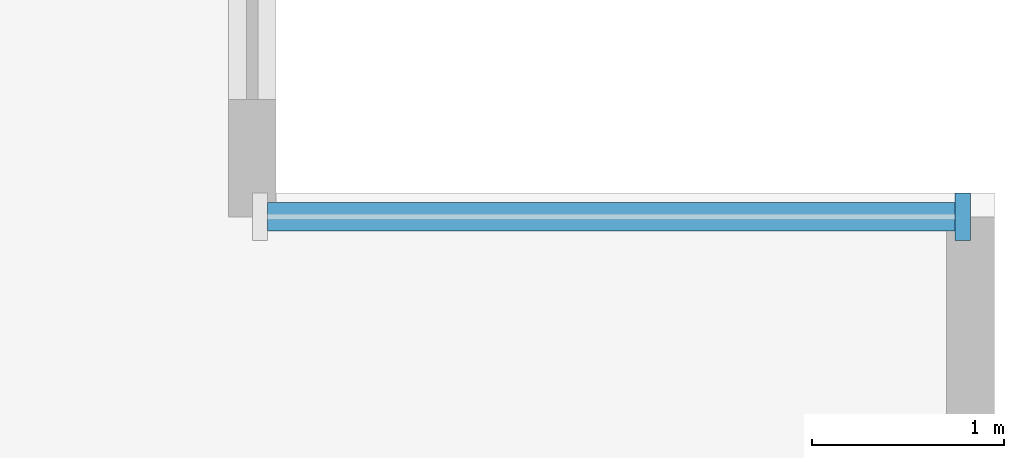
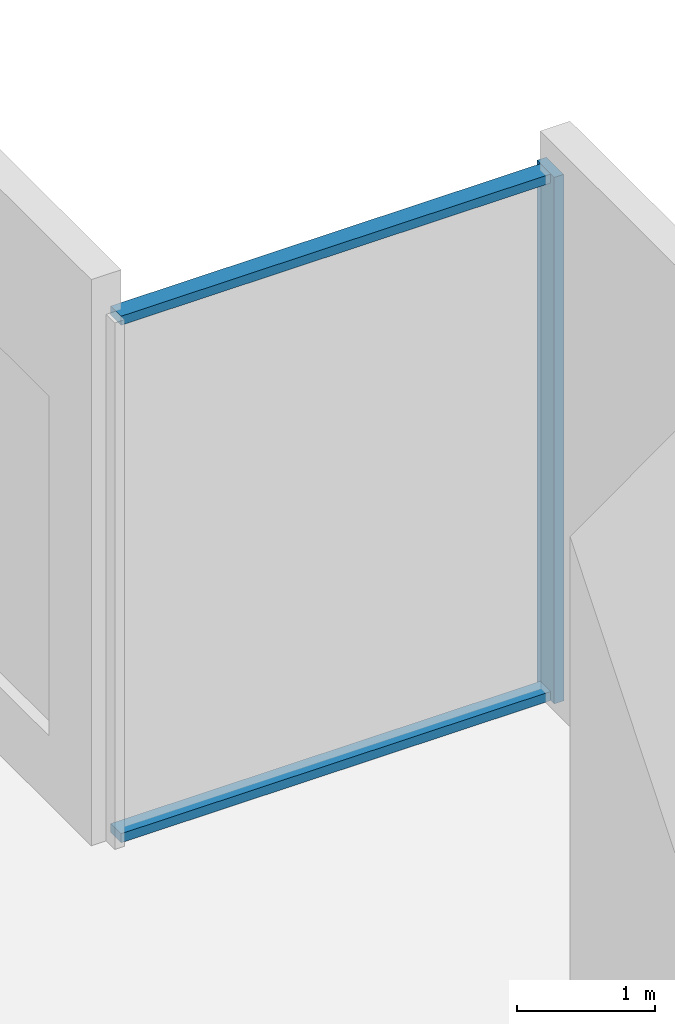
# One storey, part 4 of 11: 3 members, 1 element without a shape of its own.
"""IFC4 building model written with IfcOpenShell, lengths in metres."""

from ifc_helpers import new_model, si_unit, direction, frame, origin, origin_2d, place, context, subcontext, project, spatial, rectangle, extrude, material, layer, layer_set, material_profile, profile_set, type_object, element, aggregate, save


model = new_model("IFC4")

# Units and contexts
model_context = context("Model", 3, precision=1e-05, world=origin(), true_north=direction((0.0, 1.0)))
body_context = subcontext(model_context, "Body", "Model", "MODEL_VIEW")
ifc_project = project(units=[si_unit("LENGTHUNIT", "METRE"), si_unit("AREAUNIT", "SQUARE_METRE"), si_unit("VOLUMEUNIT", "CUBIC_METRE"), si_unit("PLANEANGLEUNIT", "RADIAN"), si_unit("MASSUNIT", "GRAM", prefix="KILO")], contexts=[model_context])

# Site, building, storey
site_placement = place(None, origin())
site = spatial("IfcSite", under=ifc_project, at=site_placement, CompositionType="ELEMENT")
building_placement = place(site_placement, origin())
building = spatial("IfcBuilding", under=site, at=building_placement, Name="Cleftline Residences", CompositionType="ELEMENT")
storey_placement = place(building_placement, frame((0.0, 0.0, 21.0)))
storey = spatial("IfcBuildingStorey", under=building, at=storey_placement, Name="L04", CompositionType="ELEMENT", Elevation=21.0)

# Curtain wall, members
ifc_material_1 = material(Name="Aluminium framed curtain wall", Category="aluminium")
ifc_layer = layer(ifc_material_1, 0.199951171875)
ifc_layer_set = layer_set([ifc_layer], Name="CW2 PODIUM GLAZING")
curtain_wall_type = type_object("IfcCurtainWallType", Name="CW2 PODIUM GLAZING", PredefinedType="NOTDEFINED", material=ifc_layer_set)
curtain_wall_placement = place(storey_placement, origin())
curtain_wall = element("IfcCurtainWall", 1, at=curtain_wall_placement, inside=storey, type_object=curtain_wall_type, Name="Curtain wall CW2", PredefinedType="NOTDEFINED")
ifc_material_2 = material(Name="Aluminium mullion", Category="aluminium")
ifc_material_profile_1 = material_profile(ifc_material_2, rectangle(XDim=0.25, YDim=0.080078125, at=origin_2d()))
ifc_profile_set_1 = profile_set([ifc_material_profile_1], Name="Aluminium mullion")
member_type_1 = type_object("IfcMemberType", Name="CW2 MULLION", PredefinedType="MULLION", material=ifc_profile_set_1)
member_1_placement = place(storey_placement, frame((66.534912109375, 44.824951171875, 0.0), z_axis=(0.0, 0.0, 1.0), x_axis=(0.0, -1.0, 0.0)))
member_1 = element("IfcMember", 2, at=member_1_placement, type_object=member_type_1, Name="CW2 mullion 1", PredefinedType="MULLION", context=body_context, shape_type="SweptSolid", body=[
    extrude(rectangle(XDim=0.25, YDim=0.080078125, at=origin_2d()), origin(), (0.0, 0.0, 1.0), 4.64990234375),
])
ifc_material_3 = material(Name="Aluminium transom", Category="aluminium")
ifc_material_profile_2 = material_profile(ifc_material_3, rectangle(XDim=0.14990234375, YDim=0.080078125, at=origin_2d()))
ifc_profile_set_2 = profile_set([ifc_material_profile_2], Name="Aluminium transom")
member_type_2 = type_object("IfcMemberType", Name="CW2 TRANSOM", PredefinedType="USERDEFINED", material=ifc_profile_set_2)
member_2_placement = place(storey_placement, frame((66.4951171875, 44.824951171875, 0.0400390625), z_axis=(-1.0, 0.0, 0.0), x_axis=(0.0, -1.0, 0.0)))
member_2 = element("IfcMember", 3, at=member_2_placement, type_object=member_type_2, Name="CW2 transom 1.1", ObjectType="TRANSOM", PredefinedType="USERDEFINED", context=body_context, shape_type="SweptSolid", body=[
    extrude(rectangle(XDim=0.14990234375, YDim=0.080078125, at=origin_2d()), origin(), (0.0, 0.0, 1.0), 3.590087890625),
])
member_3_placement = place(storey_placement, frame((66.4951171875, 44.824951171875, 4.610107421875), z_axis=(-1.0, 0.0, 0.0), x_axis=(0.0, -1.0, 0.0)))
member_3 = element("IfcMember", 4, at=member_3_placement, type_object=member_type_2, Name="CW2 transom 1.2", ObjectType="TRANSOM", PredefinedType="USERDEFINED", context=body_context, shape_type="SweptSolid", body=[
    extrude(rectangle(XDim=0.14990234375, YDim=0.080078125, at=origin_2d()), origin(), (0.0, 0.0, 1.0), 3.590087890625),
])
aggregate(curtain_wall, [member_1, member_2, member_3])

save(model, "model.ifc")
